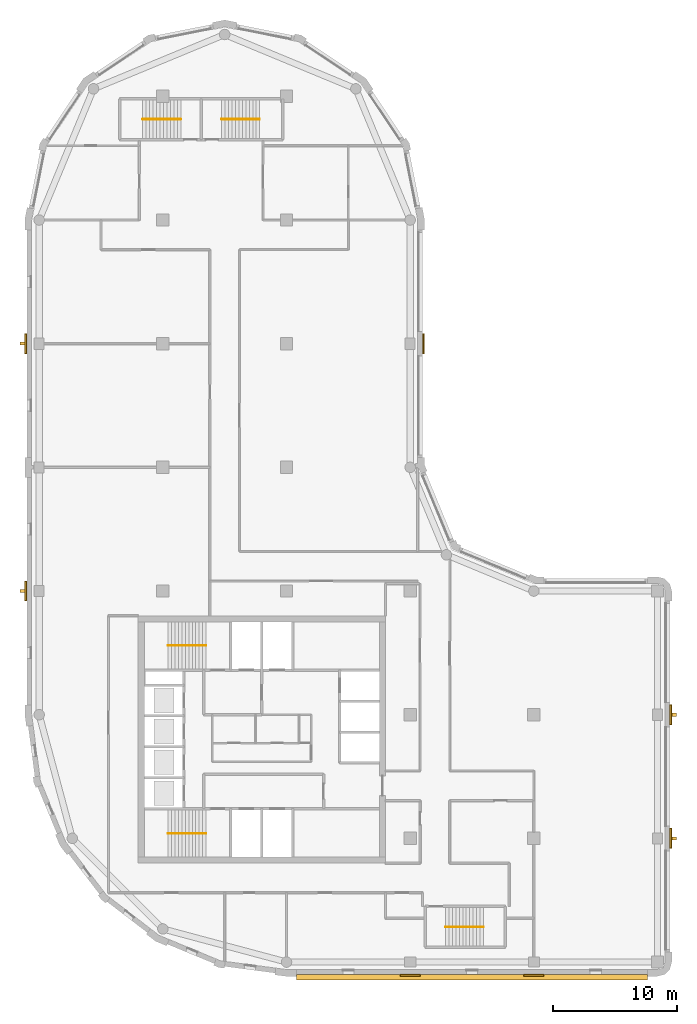
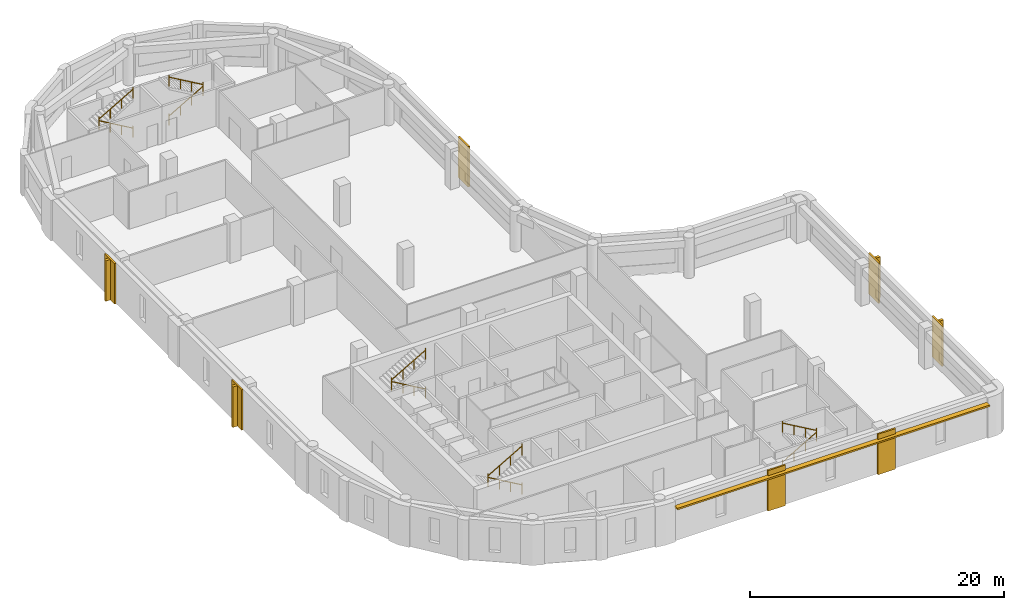
# One storey, part 8 of 9: 10 railings, 7 coverings, 5 shading devices.
"""IFC4 building model written with IfcOpenShell, lengths in metres."""

import ifcopenshell
import ifcopenshell.guid

model = None  # the IFC model being written
_history = None  # IfcOwnerHistory: only IFC2X3 demands one
_inside = {}  # id of a spatial element -> (the spatial element, [elements in it])
_under = {}  # id of a project, library or spatial element -> (it, [spatial elements below it])
_declared = {}  # id of a project -> (the project, [libraries it declares])
_typed = {}  # id of a type object -> (the type object, [elements of that type])
_made_of = {}  # id of a material, layer set ... -> (it, [elements and type objects made of it])


def new_model(schema):
    """Start an empty IFC model of exactly this schema.

    Asked for "IFC4X3", IfcOpenShell would pick the latest addendum, in which some entities
    have other attributes; the version numbers below select the first issue.
    IFC2X3 requires an IfcOwnerHistory on every rooted entity: one is made here for all.
    """
    global model, _history
    if schema == "IFC4X3":
        model = ifcopenshell.file(schema_version=(4, 3, 0, 0))
    else:
        model = ifcopenshell.file(schema=schema)
    _inside.clear()
    _under.clear()
    _declared.clear()
    _typed.clear()
    _made_of.clear()
    _history = None
    if model.schema == "IFC2X3":
        org = make("IfcOrganization", Name="unknown")
        user = make(
            "IfcPersonAndOrganization",
            ThePerson=make("IfcPerson", FamilyName="unknown"),
            TheOrganization=org,
        )
        app = make(
            "IfcApplication",
            ApplicationDeveloper=org,
            Version="unknown",
            ApplicationFullName="unknown",
            ApplicationIdentifier="unknown",
        )
        _history = make(
            "IfcOwnerHistory",
            OwningUser=user,
            OwningApplication=app,
            ChangeAction="ADDED",
            CreationDate=0,
        )
    return model


def make(cls, **values):
    """One entity of the class cls with the attributes given. An attribute that is None is left unset."""
    return model.create_entity(
        cls, **{name: value for name, value in values.items() if value is not None}
    )


def rooted(cls, **values):
    """An entity with a GlobalId (a new one), such as an element, a storey or a relation."""
    return make(cls, GlobalId=ifcopenshell.guid.new(), OwnerHistory=_history, **values)


def si_unit(unit_type, name, prefix=None):
    """IfcSIUnit, for example si_unit("LENGTHUNIT", "METRE", prefix="MILLI")."""
    return make("IfcSIUnit", UnitType=unit_type, Prefix=prefix, Name=name)


def assignment(units):
    """IfcUnitAssignment: the units of a project."""
    return None if units is None else make("IfcUnitAssignment", Units=units)


def point(xyz):
    """IfcCartesianPoint."""
    return None if xyz is None else make("IfcCartesianPoint", Coordinates=xyz)


def direction(xyz):
    """IfcDirection."""
    return None if xyz is None else make("IfcDirection", DirectionRatios=xyz)


def frame(location, z_axis=None, x_axis=None):
    """IfcAxis2Placement3D, a coordinate frame: its origin and axes. An axis left out is left unset."""
    return make(
        "IfcAxis2Placement3D",
        Location=point(location),
        Axis=direction(z_axis),
        RefDirection=direction(x_axis),
    )


def frame_2d(location, x_axis=None):
    """IfcAxis2Placement2D, a coordinate frame in the plane: its origin and x axis."""
    return make(
        "IfcAxis2Placement2D", Location=point(location), RefDirection=direction(x_axis)
    )


def origin():
    """The frame at (0, 0, 0) with its axes left unset."""
    return frame((0.0, 0.0, 0.0))


def origin_2d():
    """The frame at (0, 0) in the plane with its x axis left unset."""
    return frame_2d((0.0, 0.0))


def place(relative_to, where):
    """IfcLocalPlacement: puts the frame where relative to a parent placement (None: the world)."""
    return make(
        "IfcLocalPlacement", PlacementRelTo=relative_to, RelativePlacement=where
    )


def context(
    kind, dimensions, precision=None, world=None, true_north=None, identifier=None
):
    """IfcGeometricRepresentationContext, for example the 3D "Model" context."""
    return make(
        "IfcGeometricRepresentationContext",
        ContextIdentifier=identifier,
        ContextType=kind,
        CoordinateSpaceDimension=dimensions,
        Precision=precision,
        WorldCoordinateSystem=world,
        TrueNorth=true_north,
    )


def subcontext(parent, identifier, kind, view, scale=None):
    """IfcGeometricRepresentationSubContext, for example "Body" below "Model"."""
    return make(
        "IfcGeometricRepresentationSubContext",
        ContextIdentifier=identifier,
        ContextType=kind,
        ParentContext=parent,
        TargetScale=scale,
        TargetView=view,
    )


def project(units=None, contexts=None):
    """IfcProject with its units and contexts."""
    return rooted(
        "IfcProject",
        Name="project",
        RepresentationContexts=contexts,
        UnitsInContext=assignment(units),
    )


def spatial(cls, under=None, at=None, **own):
    """A site, building, storey or space (cls), placed at a placement, below another one or the project."""
    s = rooted(cls, ObjectPlacement=at, **own)
    if under is not None:
        _under.setdefault(under.id(), (under, []))[1].append(s)
    return s


def polyline(points):
    """IfcPolyline through the points."""
    return make("IfcPolyline", Points=[point(p) for p in points])


def profile(cls, at=None, kind="AREA", **sizes):
    """A parametric profile (cls). Its sizes go by their IFC names, for example OverallWidth=200.0."""
    return make(cls, ProfileType=kind, Position=at, **sizes)


def rectangle(**sizes):
    """IfcRectangleProfileDef."""
    return profile("IfcRectangleProfileDef", **sizes)


def circle(**sizes):
    """IfcCircleProfileDef."""
    return profile("IfcCircleProfileDef", **sizes)


def outline(outer, holes=None, kind="AREA"):
    """IfcArbitraryClosedProfileDef: a profile drawn as a closed curve; with holes, ...WithVoids."""
    if holes is None:
        return make("IfcArbitraryClosedProfileDef", ProfileType=kind, OuterCurve=outer)
    return make(
        "IfcArbitraryProfileDefWithVoids",
        ProfileType=kind,
        OuterCurve=outer,
        InnerCurves=holes,
    )


def extrude(swept, where, along, depth):
    """IfcExtrudedAreaSolid: the profile swept, set in the frame where, extruded along a direction by depth."""
    return make(
        "IfcExtrudedAreaSolid",
        SweptArea=swept,
        Position=where,
        ExtrudedDirection=direction(along),
        Depth=depth,
    )


def shape(context_of_items, identifier, shape_type, items):
    """IfcShapeRepresentation: the items that make up one representation, for example the "Body"."""
    return make(
        "IfcShapeRepresentation",
        ContextOfItems=context_of_items,
        RepresentationIdentifier=identifier,
        RepresentationType=shape_type,
        Items=items,
    )


def material(Name=None, Category=None):
    """IfcMaterial."""
    return make("IfcMaterial", Name=Name, Category=Category)


def layer(
    of_material, thickness, ventilated=None, Name=None, Category=None, Priority=None
):
    """IfcMaterialLayer: one layer of a wall or slab, of a material (None: an air gap)."""
    return make(
        "IfcMaterialLayer",
        Material=of_material,
        LayerThickness=thickness,
        IsVentilated=ventilated,
        Name=Name,
        Category=Category,
        Priority=Priority,
    )


def layer_set(layers, Name=None):
    """IfcMaterialLayerSet."""
    return make("IfcMaterialLayerSet", MaterialLayers=layers, LayerSetName=Name)


def made_of(thing, what):
    """Note that an element or type object is made of a material, layer set ...; save() writes the relation."""
    if what is not None:
        _made_of.setdefault(what.id(), (what, []))[1].append(thing)
    return thing


def type_object(cls, material=None, **own):
    """A type object (cls), such as IfcWallType, which elements share."""
    return made_of(rooted(cls, **own), material)


def element(
    cls,
    number,
    at=None,
    inside=None,
    cuts=None,
    type_object=None,
    material=None,
    context=None,
    identifier="Body",
    shape_type=None,
    held_by="IfcProductDefinitionShape",
    body=None,
    shapes=None,
    **own,
):
    """One element of the class cls, such as IfcWall. Its Tag is "e" and its number.

    at: its placement. inside: the storey or other place that contains it. cuts: it is an
    opening in that element (IfcRelVoidsElement). A single representation is given by context,
    identifier, shape_type and body (its items); several are given by shapes. held_by: the class
    of the entity that holds the representations. save() writes the other relations.
    """
    e = rooted(cls, Tag="e%d" % number, ObjectPlacement=at, **own)
    if body is not None:
        shapes = [shape(context, identifier, shape_type, body)]
    if shapes is not None:
        e.Representation = make(held_by, Representations=shapes)
    if inside is not None:
        _inside.setdefault(inside.id(), (inside, []))[1].append(e)
    if cuts is not None:
        rooted(
            "IfcRelVoidsElement", RelatingBuildingElement=cuts, RelatedOpeningElement=e
        )
    if type_object is not None:
        _typed.setdefault(type_object.id(), (type_object, []))[1].append(e)
    return made_of(e, material)


def aggregate(whole, parts):
    """IfcRelAggregates: a whole, such as a stair, and the parts it consists of."""
    return rooted("IfcRelAggregates", RelatingObject=whole, RelatedObjects=parts)


def save(model, path):
    """Write the relations noted so far, then the file.

    IfcRelAggregates (storeys below a building ...), IfcRelContainedInSpatialStructure (elements
    in a storey), IfcRelDefinesByType, IfcRelAssociatesMaterial and IfcRelDeclares: one each for
    every whole, place, type object, material and project.
    """
    for whole, parts in _under.values():
        aggregate(whole, parts)
    for where, things in _inside.values():
        rooted(
            "IfcRelContainedInSpatialStructure",
            RelatedElements=things,
            RelatingStructure=where,
        )
    for kind, things in _typed.values():
        rooted("IfcRelDefinesByType", RelatedObjects=things, RelatingType=kind)
    for what, things in _made_of.values():
        rooted("IfcRelAssociatesMaterial", RelatedObjects=things, RelatingMaterial=what)
    for by, libraries in _declared.values():
        rooted("IfcRelDeclares", RelatingContext=by, RelatedDefinitions=libraries)
    model.write(path)


model = new_model("IFC4")

# Units and contexts
model_context = context("Model", 3, precision=1e-05, world=origin(), true_north=direction((0.0, 1.0)))
body_context = subcontext(model_context, "Body", "Model", "MODEL_VIEW")
ifc_project = project(units=[si_unit("LENGTHUNIT", "METRE"), si_unit("AREAUNIT", "SQUARE_METRE"), si_unit("VOLUMEUNIT", "CUBIC_METRE"), si_unit("PLANEANGLEUNIT", "RADIAN"), si_unit("MASSUNIT", "GRAM", prefix="KILO")], contexts=[model_context])

# Site, building, storey
site_placement = place(None, origin())
site = spatial("IfcSite", under=ifc_project, at=site_placement, CompositionType="ELEMENT")
building_placement = place(site_placement, origin())
building = spatial("IfcBuilding", under=site, at=building_placement, Name="Qaws Garden Tower", CompositionType="ELEMENT")
storey_placement = place(building_placement, frame((0.0, 0.0, 251.39990234375)))
storey = spatial("IfcBuildingStorey", under=building, at=storey_placement, Name="L60", CompositionType="ELEMENT", Elevation=251.39990234375)

# Coverings
ifc_material_1 = material(Name="Clay facing brick masonry", Category="masonry")
ifc_layer_1 = layer(ifc_material_1, 0.14990234375)
ifc_layer_set_1 = layer_set([ifc_layer_1], Name="Clay facing brick masonry")
covering_type = type_object("IfcCoveringType", Name="Brick pilaster facing 150 x 1600", PredefinedType="CLADDING", material=ifc_layer_set_1)
placement = place(storey_placement, origin())
element("IfcCovering", 1, at=placement, inside=storey, type_object=covering_type, Name="E-L60-pier-01", PredefinedType="CLADDING", context=body_context, shape_type="SweptSolid", body=[
    extrude(outline(polyline([(29.199951171875, -1.0), (30.800048828125, -1.0), (30.800048828125, -1.14990234375), (29.199951171875, -1.14990234375), (29.199951171875, -1.0)])), origin(), (0.0, 0.0, 1.0), 3.900146484375),
])
element("IfcCovering", 2, at=placement, inside=storey, type_object=covering_type, Name="E-L60-pier-02", PredefinedType="CLADDING", context=body_context, shape_type="SweptSolid", body=[
    extrude(outline(polyline([(39.199951171875, -1.0), (40.800048828125, -1.0), (40.800048828125, -1.14990234375), (39.199951171875, -1.14990234375), (39.199951171875, -1.0)])), origin(), (0.0, 0.0, 1.0), 3.900146484375),
])
element("IfcCovering", 3, at=placement, inside=storey, type_object=covering_type, Name="E-L60-pier-04", PredefinedType="CLADDING", context=body_context, shape_type="SweptSolid", body=[
    extrude(outline(polyline([(51.0, 9.199951171875), (51.0, 10.800048828125), (51.14990234375, 10.800048828125), (51.14990234375, 9.199951171875), (51.0, 9.199951171875)])), origin(), (0.0, 0.0, 1.0), 3.900146484375),
])
element("IfcCovering", 4, at=placement, inside=storey, type_object=covering_type, Name="E-L60-pier-05", PredefinedType="CLADDING", context=body_context, shape_type="SweptSolid", body=[
    extrude(outline(polyline([(51.0, 19.199951171875), (51.0, 20.800048828125), (51.14990234375, 20.800048828125), (51.14990234375, 19.199951171875), (51.0, 19.199951171875)])), origin(), (0.0, 0.0, 1.0), 3.900146484375),
])
element("IfcCovering", 5, at=placement, inside=storey, type_object=covering_type, Name="E-L60-pier-10", PredefinedType="CLADDING", context=body_context, shape_type="SweptSolid", body=[
    extrude(outline(polyline([(31.0, 49.199951171875), (31.0, 50.800048828125), (31.14990234375, 50.800048828125), (31.14990234375, 49.199951171875), (31.0, 49.199951171875)])), origin(), (0.0, 0.0, 1.0), 3.900146484375),
])
element("IfcCovering", 6, at=placement, inside=storey, type_object=covering_type, Name="E-L60-pier-20", PredefinedType="CLADDING", context=body_context, shape_type="SweptSolid", body=[
    extrude(outline(polyline([(-1.0, 50.800048828125), (-1.0, 49.199951171875), (-1.14990234375, 49.199951171875), (-1.14990234375, 50.800048828125), (-1.0, 50.800048828125)])), origin(), (0.0, 0.0, 1.0), 3.900146484375),
])
element("IfcCovering", 7, at=placement, inside=storey, type_object=covering_type, Name="E-L60-pier-22", PredefinedType="CLADDING", context=body_context, shape_type="SweptSolid", body=[
    extrude(outline(polyline([(-1.0, 30.800048828125), (-1.0, 29.199951171875), (-1.14990234375, 29.199951171875), (-1.14990234375, 30.800048828125), (-1.0, 30.800048828125)])), origin(), (0.0, 0.0, 1.0), 3.900146484375),
])

# Shading devices
ifc_material_2 = material(Name="Clay facing brick masonry", Category="masonry")
ifc_layer_2 = layer(ifc_material_2, 0.14990234375)
ifc_layer_set_2 = layer_set([ifc_layer_2], Name="Clay facing brick masonry")
shading_device_type_1 = type_object("IfcShadingDeviceType", Name="Brick sunshade band 450 x 150", PredefinedType="JALOUSIE", material=ifc_layer_set_2)
shading_device_placement = place(storey_placement, frame((0.0, 0.0, 3.25)))
element("IfcShadingDevice", 8, at=shading_device_placement, inside=storey, type_object=shading_device_type_1, Name="SUNSHADE 00", PredefinedType="JALOUSIE", context=body_context, shape_type="SweptSolid", body=[
    extrude(outline(polyline([(20.800048828125, -1.0), (20.800048828125, -1.449951171875), (49.199951171875, -1.449951171875), (49.199951171875, -1.0), (40.800048828125, -1.0), (40.800048828125, -1.14990234375), (39.199951171875, -1.14990234375), (39.199951171875, -1.0), (30.800048828125, -1.0), (30.800048828125, -1.14990234375), (29.199951171875, -1.14990234375), (29.199951171875, -1.0), (20.800048828125, -1.0)])), origin(), (0.0, 0.0, 1.0), 0.150146484375),
])
ifc_material_3 = material(Name="Clay facing brick masonry", Category="masonry")
ifc_layer_3 = layer(ifc_material_3, 0.25)
ifc_layer_set_3 = layer_set([ifc_layer_3], Name="Clay facing brick masonry")
shading_device_type_2 = type_object("IfcShadingDeviceType", Name="Brick-faced fin 250 x 400", PredefinedType="USERDEFINED", material=ifc_layer_set_3)
for number, where, z_axis, x_axis, name in (
    (9, (51.35009765625, 10.0, 0.000244140625), (0.0, 0.0, 1.0), (0.0, 1.0, 0.0), "FIN 04"),
    (10, (51.35009765625, 20.0, 0.000244140625), (0.0, 0.0, 1.0), (0.0, 1.0, 0.0), "FIN 05"),
    (11, (-1.35009765625, 50.0, 0.000244140625), (0.0, 0.0, 1.0), (0.0, -1.0, 0.0), "FIN 20"),
    (12, (-1.35009765625, 30.0, 0.000244140625), (0.0, 0.0, 1.0), (0.0, -1.0, 0.0), "FIN 22"),
):
    element("IfcShadingDevice", number, at=place(storey_placement, frame(where, z_axis=z_axis, x_axis=x_axis)), inside=storey, type_object=shading_device_type_2, Name=name, ObjectType="FIN", PredefinedType="USERDEFINED", context=body_context, shape_type="SweptSolid", body=[
        extrude(rectangle(XDim=0.25, YDim=0.39990234375, at=origin_2d()), origin(), (0.0, 0.0, 1.0), 3.89990234375),
    ])

# Railings
ifc_material_4 = material(Name="Steel S355", Category="steel")
railing_type = type_object("IfcRailingType", Name="Stair handrail 900", PredefinedType="HANDRAIL", material=ifc_material_4)
railing_1_placement = place(storey_placement, frame((13.5, 10.39990234375, 0.16259765625)))
element("IfcRailing", 13, at=railing_1_placement, inside=storey, type_object=railing_type, Name="Stair 1 handrail", PredefinedType="HANDRAIL", context=body_context, shape_type="SweptSolid", body=[
    extrude(circle(Radius=0.02392578125, at=origin_2d()), frame((0.0, 0.0, 0.8759765625), z_axis=(-0.864890721111, 0.0, 0.501960198159), x_axis=(0.0, -1.0, 0.0)), (0.0, 0.0, 1.0), 3.561279296875),
    extrude(circle(Radius=0.02099609375, at=origin_2d()), origin(), (0.0, 0.0, 1.0), 1.06201171875),
    extrude(circle(Radius=0.02099609375, at=origin_2d()), frame((-1.026611328125, 0.0, 0.595947265625)), (0.0, 0.0, 1.0), 0.851806640625),
    extrude(circle(Radius=0.02099609375, at=origin_2d()), frame((-2.053466796875, 0.0, 1.191650390625)), (0.0, 0.0, 1.0), 0.851806640625),
    extrude(circle(Radius=0.02099609375, at=origin_2d()), frame((-3.080078125, 0.0, 1.78759765625)), (0.0, 0.0, 1.0), 1.06201171875),
])
railing_2_placement = place(storey_placement, frame((10.419921875, 10.39990234375, 2.112548828125)))
element("IfcRailing", 14, at=railing_2_placement, inside=storey, type_object=railing_type, Name="Stair 1 handrail", PredefinedType="HANDRAIL", context=body_context, shape_type="SweptSolid", body=[
    extrude(circle(Radius=0.02392578125, at=origin_2d()), frame((0.0, 0.0, 0.8759765625), z_axis=(0.864890721111, 0.0, 0.501960198159), x_axis=(0.0, 1.0, 0.0)), (0.0, 0.0, 1.0), 3.561279296875),
    extrude(circle(Radius=0.02099609375, at=origin_2d()), origin(), (0.0, 0.0, 1.0), 1.06201171875),
    extrude(circle(Radius=0.02099609375, at=origin_2d()), frame((1.026611328125, 0.0, 0.595947265625)), (0.0, 0.0, 1.0), 0.851806640625),
    extrude(circle(Radius=0.02099609375, at=origin_2d()), frame((2.053466796875, 0.0, 1.191650390625)), (0.0, 0.0, 1.0), 0.851806640625),
    extrude(circle(Radius=0.02099609375, at=origin_2d()), frame((3.080078125, 0.0, 1.78759765625)), (0.0, 0.0, 1.0), 1.06201171875),
])
railing_3_placement = place(storey_placement, frame((13.5, 25.60009765625, 0.16259765625)))
element("IfcRailing", 15, at=railing_3_placement, inside=storey, type_object=railing_type, Name="Stair 4 handrail", PredefinedType="HANDRAIL", context=body_context, shape_type="SweptSolid", body=[
    extrude(circle(Radius=0.02392578125, at=origin_2d()), frame((0.0, 0.0, 0.8759765625), z_axis=(-0.864890721111, 0.0, 0.501960198159), x_axis=(0.0, -1.0, 0.0)), (0.0, 0.0, 1.0), 3.561279296875),
    extrude(circle(Radius=0.02099609375, at=origin_2d()), origin(), (0.0, 0.0, 1.0), 1.06201171875),
    extrude(circle(Radius=0.02099609375, at=origin_2d()), frame((-1.026611328125, 0.0, 0.595947265625)), (0.0, 0.0, 1.0), 0.851806640625),
    extrude(circle(Radius=0.02099609375, at=origin_2d()), frame((-2.053466796875, 0.0, 1.191650390625)), (0.0, 0.0, 1.0), 0.851806640625),
    extrude(circle(Radius=0.02099609375, at=origin_2d()), frame((-3.080078125, 0.0, 1.78759765625)), (0.0, 0.0, 1.0), 1.06201171875),
])
railing_4_placement = place(storey_placement, frame((10.419921875, 25.60009765625, 2.112548828125)))
element("IfcRailing", 16, at=railing_4_placement, inside=storey, type_object=railing_type, Name="Stair 4 handrail", PredefinedType="HANDRAIL", context=body_context, shape_type="SweptSolid", body=[
    extrude(circle(Radius=0.02392578125, at=origin_2d()), frame((0.0, 0.0, 0.8759765625), z_axis=(0.864890721111, 0.0, 0.501960198159), x_axis=(0.0, 1.0, 0.0)), (0.0, 0.0, 1.0), 3.561279296875),
    extrude(circle(Radius=0.02099609375, at=origin_2d()), origin(), (0.0, 0.0, 1.0), 1.06201171875),
    extrude(circle(Radius=0.02099609375, at=origin_2d()), frame((1.026611328125, 0.0, 0.595947265625)), (0.0, 0.0, 1.0), 0.851806640625),
    extrude(circle(Radius=0.02099609375, at=origin_2d()), frame((2.053466796875, 0.0, 1.191650390625)), (0.0, 0.0, 1.0), 0.851806640625),
    extrude(circle(Radius=0.02099609375, at=origin_2d()), frame((3.080078125, 0.0, 1.78759765625)), (0.0, 0.0, 1.0), 1.06201171875),
])
railing_5_placement = place(storey_placement, frame((32.85009765625, 2.85009765625, 0.16259765625)))
element("IfcRailing", 17, at=railing_5_placement, inside=storey, type_object=railing_type, Name="Stair 5 handrail", PredefinedType="HANDRAIL", context=body_context, shape_type="SweptSolid", body=[
    extrude(circle(Radius=0.02392578125, at=origin_2d()), frame((0.0, 0.0, 0.8759765625), z_axis=(0.864873446163, 0.0, 0.501989962173), x_axis=(0.0, 1.0, 0.0)), (0.0, 0.0, 1.0), 3.56103515625),
    extrude(circle(Radius=0.02099609375, at=origin_2d()), origin(), (0.0, 0.0, 1.0), 1.06201171875),
    extrude(circle(Radius=0.02099609375, at=origin_2d()), frame((1.026611328125, 0.0, 0.595947265625)), (0.0, 0.0, 1.0), 0.851806640625),
    extrude(circle(Radius=0.02099609375, at=origin_2d()), frame((2.05322265625, 0.0, 1.191650390625)), (0.0, 0.0, 1.0), 0.851806640625),
    extrude(circle(Radius=0.02099609375, at=origin_2d()), frame((3.079833984375, 0.0, 1.78759765625)), (0.0, 0.0, 1.0), 1.06201171875),
])
for number, where, name in (
    (18, (35.929931640625, 2.85009765625, 2.112548828125), "Stair 5 handrail"),
    (19, (11.449951171875, 68.14990234375, 0.16259765625), "Stair 6 handrail"),
):
    element("IfcRailing", number, at=place(storey_placement, frame(where)), inside=storey, type_object=railing_type, Name=name, PredefinedType="HANDRAIL", context=body_context, shape_type="SweptSolid", body=[
        extrude(circle(Radius=0.02392578125, at=origin_2d()), frame((0.0, 0.0, 0.8759765625), z_axis=(-0.864873446163, 0.0, 0.501989962173), x_axis=(0.0, -1.0, 0.0)), (0.0, 0.0, 1.0), 3.56103515625),
        extrude(circle(Radius=0.02099609375, at=origin_2d()), origin(), (0.0, 0.0, 1.0), 1.06201171875),
        extrude(circle(Radius=0.02099609375, at=origin_2d()), frame((-1.026611328125, 0.0, 0.595947265625)), (0.0, 0.0, 1.0), 0.851806640625),
        extrude(circle(Radius=0.02099609375, at=origin_2d()), frame((-2.05322265625, 0.0, 1.191650390625)), (0.0, 0.0, 1.0), 0.851806640625),
        extrude(circle(Radius=0.02099609375, at=origin_2d()), frame((-3.079833984375, 0.0, 1.78759765625)), (0.0, 0.0, 1.0), 1.06201171875),
    ])
railing_6_placement = place(storey_placement, frame((8.3701171875, 68.14990234375, 2.112548828125)))
element("IfcRailing", 20, at=railing_6_placement, inside=storey, type_object=railing_type, Name="Stair 6 handrail", PredefinedType="HANDRAIL", context=body_context, shape_type="SweptSolid", body=[
    extrude(circle(Radius=0.02392578125, at=origin_2d()), frame((0.0, 0.0, 0.8759765625), z_axis=(0.864873446163, 0.0, 0.501989962173), x_axis=(0.0, 1.0, 0.0)), (0.0, 0.0, 1.0), 3.56103515625),
    extrude(circle(Radius=0.02099609375, at=origin_2d()), origin(), (0.0, 0.0, 1.0), 1.06201171875),
    extrude(circle(Radius=0.02099609375, at=origin_2d()), frame((1.026611328125, 0.0, 0.595947265625)), (0.0, 0.0, 1.0), 0.851806640625),
    extrude(circle(Radius=0.02099609375, at=origin_2d()), frame((2.05322265625, 0.0, 1.191650390625)), (0.0, 0.0, 1.0), 0.851806640625),
    extrude(circle(Radius=0.02099609375, at=origin_2d()), frame((3.079833984375, 0.0, 1.78759765625)), (0.0, 0.0, 1.0), 1.06201171875),
])
railing_7_placement = place(storey_placement, frame((14.75, 68.14990234375, 0.16259765625)))
element("IfcRailing", 21, at=railing_7_placement, inside=storey, type_object=railing_type, Name="Stair 7 handrail", PredefinedType="HANDRAIL", context=body_context, shape_type="SweptSolid", body=[
    extrude(circle(Radius=0.02392578125, at=origin_2d()), frame((0.0, 0.0, 0.8759765625), z_axis=(0.864890721111, 0.0, 0.501960198159), x_axis=(0.0, 1.0, 0.0)), (0.0, 0.0, 1.0), 3.561279296875),
    extrude(circle(Radius=0.02099609375, at=origin_2d()), origin(), (0.0, 0.0, 1.0), 1.06201171875),
    extrude(circle(Radius=0.02099609375, at=origin_2d()), frame((1.026611328125, 0.0, 0.595947265625)), (0.0, 0.0, 1.0), 0.851806640625),
    extrude(circle(Radius=0.02099609375, at=origin_2d()), frame((2.053466796875, 0.0, 1.191650390625)), (0.0, 0.0, 1.0), 0.851806640625),
    extrude(circle(Radius=0.02099609375, at=origin_2d()), frame((3.080078125, 0.0, 1.78759765625)), (0.0, 0.0, 1.0), 1.06201171875),
])
railing_8_placement = place(storey_placement, frame((17.830078125, 68.14990234375, 2.112548828125)))
element("IfcRailing", 22, at=railing_8_placement, inside=storey, type_object=railing_type, Name="Stair 7 handrail", PredefinedType="HANDRAIL", context=body_context, shape_type="SweptSolid", body=[
    extrude(circle(Radius=0.02392578125, at=origin_2d()), frame((0.0, 0.0, 0.8759765625), z_axis=(-0.864890721111, 0.0, 0.501960198159), x_axis=(0.0, -1.0, 0.0)), (0.0, 0.0, 1.0), 3.561279296875),
    extrude(circle(Radius=0.02099609375, at=origin_2d()), origin(), (0.0, 0.0, 1.0), 1.06201171875),
    extrude(circle(Radius=0.02099609375, at=origin_2d()), frame((-1.026611328125, 0.0, 0.595947265625)), (0.0, 0.0, 1.0), 0.851806640625),
    extrude(circle(Radius=0.02099609375, at=origin_2d()), frame((-2.053466796875, 0.0, 1.191650390625)), (0.0, 0.0, 1.0), 0.851806640625),
    extrude(circle(Radius=0.02099609375, at=origin_2d()), frame((-3.080078125, 0.0, 1.78759765625)), (0.0, 0.0, 1.0), 1.06201171875),
])

save(model, "model.ifc")
